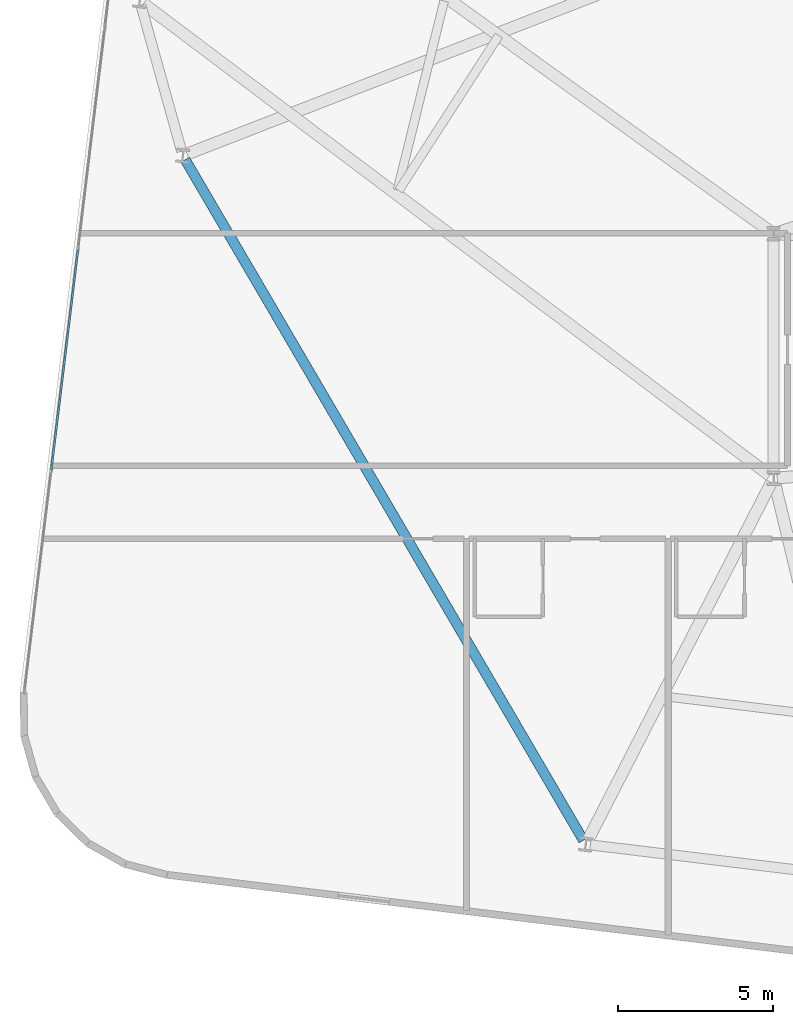
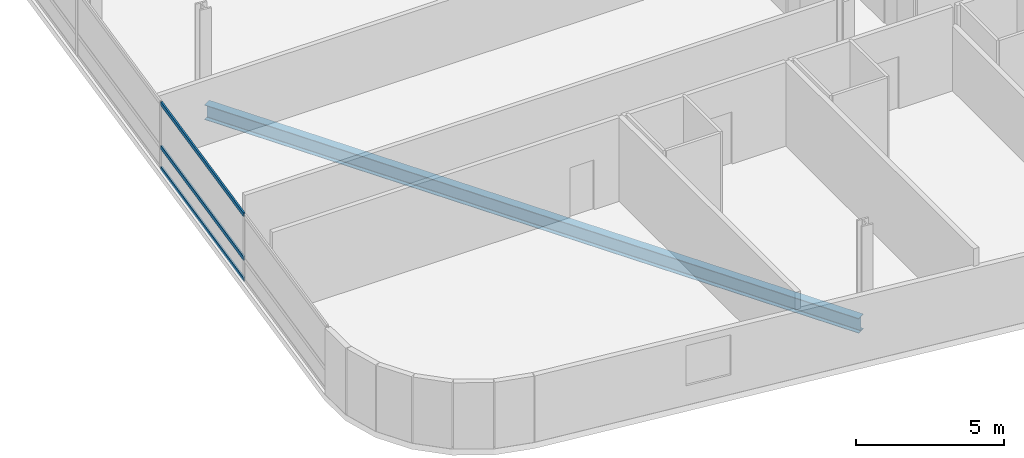
# One storey, part 5 of 26: 3 members, 1 beam, 1 element without a shape of its own.
"""IFC4 building model written with IfcOpenShell, lengths in metres."""

from ifc_helpers import new_model, si_unit, direction, frame, origin, origin_2d, place, context, subcontext, project, spatial, hollow_rectangle, i_section, extrude, material, layer, layer_set, material_profile, profile_set, type_object, element, aggregate, save


model = new_model("IFC4")

# Units and contexts
model_context = context("Model", 3, precision=1e-05, world=origin(), true_north=direction((0.0, 1.0)))
body_context = subcontext(model_context, "Body", "Model", "MODEL_VIEW")
ifc_project = project(units=[si_unit("LENGTHUNIT", "METRE"), si_unit("AREAUNIT", "SQUARE_METRE"), si_unit("VOLUMEUNIT", "CUBIC_METRE"), si_unit("PLANEANGLEUNIT", "RADIAN"), si_unit("MASSUNIT", "GRAM", prefix="KILO")], contexts=[model_context])

# Site, building, storey
site_placement = place(None, origin())
site = spatial("IfcSite", under=ifc_project, at=site_placement, CompositionType="ELEMENT")
building_placement = place(site_placement, origin())
building = spatial("IfcBuilding", under=site, at=building_placement, Name="Varnelok Gate Tower", CompositionType="ELEMENT")
storey_placement = place(building_placement, frame((0.0, 0.0, 125.39990234375)))
storey = spatial("IfcBuildingStorey", under=building, at=storey_placement, Name="L31", CompositionType="ELEMENT", Elevation=125.39990234375)

# Beam
ifc_material_1 = material(Name="Structural Steel ASTM A992 Grade 50", Category="steel")
ifc_material_profile_1 = material_profile(ifc_material_1, i_section(OverallWidth=0.323974609375, OverallDepth=0.611083984375, WebThickness=0.0126953125, FlangeThickness=0.01904296875, FilletRadius=0.01806640625, at=origin_2d()), Name="W24X104")
ifc_profile_set_1 = profile_set([ifc_material_profile_1], Name="Structural Steel ASTM A992 Grade 50")
beam_type = type_object("IfcBeamType", Name="BM-SPN-W24X104", PredefinedType="SPANDREL", material=ifc_profile_set_1)
beam_placement = place(storey_placement, frame((5.43115234375, 29.072021484375, -0.555419921875), z_axis=(0.504960797965, -0.863142278259, 0.0), x_axis=(0.863142278259, 0.504960797965, 0.0)))
element("IfcBeam", 1, at=beam_placement, inside=storey, type_object=beam_type, Name="L31 Perimeter Spandrel Beam 16", PredefinedType="SPANDREL", context=body_context, shape_type="SweptSolid", body=[
    extrude(i_section(OverallWidth=0.323974609375, OverallDepth=0.611083984375, WebThickness=0.0126953125, FlangeThickness=0.01904296875, FilletRadius=0.01806640625, at=origin_2d()), origin(), (0.0, 0.0, 1.0), 25.425537109375),
])

# Curtain wall, members
ifc_material_2 = material(Name="Anodized Aluminum Alloy 6063-T6", Category="aluminium")
ifc_layer = layer(ifc_material_2, 0.179931640625)
ifc_layer_set = layer_set([ifc_layer], Name="Anodized Aluminum Alloy 6063-T6")
curtain_wall_type = type_object("IfcCurtainWallType", Name="CW3-HOTEL-VISION", PredefinedType="USERDEFINED", material=ifc_layer_set)
curtain_wall_placement = place(storey_placement, origin())
curtain_wall = element("IfcCurtainWall", 2, at=curtain_wall_placement, inside=storey, type_object=curtain_wall_type, Name="L31 West End Vision Curtain Wall", ObjectType="UNITISED CURTAIN WALL", PredefinedType="USERDEFINED")
ifc_material_profile_2 = material_profile(ifc_material_2, hollow_rectangle(XDim=0.06494140625, YDim=0.159912109375, WallThickness=0.00390625, at=origin_2d()), Name="ALU160X65X4")
ifc_profile_set_2 = profile_set([ifc_material_profile_2], Name="Anodized Aluminum Alloy 6063-T6")
member_type = type_object("IfcMemberType", Name="CW-TRAN-160", PredefinedType="USERDEFINED", material=ifc_profile_set_2)
member_1_placement = place(storey_placement, frame((1.113525390625, 19.07080078125, 0.03271484375), z_axis=(0.120344652138, 0.992732171687, 0.0), x_axis=(-0.992732171687, 0.120344652138, 0.0)))
member_1 = element("IfcMember", 3, at=member_1_placement, type_object=member_type, Name="CW3 transom 2.1", ObjectType="TRANSOM", PredefinedType="USERDEFINED", context=body_context, shape_type="SweptSolid", body=[
    extrude(hollow_rectangle(XDim=0.06494140625, YDim=0.159912109375, WallThickness=0.00390625, at=origin_2d()), origin(), (0.0, 0.0, 1.0), 7.134765625),
])
member_2_placement = place(storey_placement, frame((1.113525390625, 19.07080078125, 0.900146484375), z_axis=(0.120344652138, 0.992732171687, 0.0), x_axis=(-0.992732171687, 0.120344652138, 0.0)))
member_2 = element("IfcMember", 4, at=member_2_placement, type_object=member_type, Name="CW3 transom 2.2", ObjectType="TRANSOM", PredefinedType="USERDEFINED", context=body_context, shape_type="SweptSolid", body=[
    extrude(hollow_rectangle(XDim=0.06494140625, YDim=0.159912109375, WallThickness=0.00390625, at=origin_2d()), origin(), (0.0, 0.0, 1.0), 7.134765625),
])
member_3_placement = place(storey_placement, frame((1.113525390625, 19.07080078125, 2.697509765625), z_axis=(0.120344652138, 0.992732171687, 0.0), x_axis=(-0.992732171687, 0.120344652138, 0.0)))
member_3 = element("IfcMember", 5, at=member_3_placement, type_object=member_type, Name="CW3 transom 2.3", ObjectType="TRANSOM", PredefinedType="USERDEFINED", context=body_context, shape_type="SweptSolid", body=[
    extrude(hollow_rectangle(XDim=0.06494140625, YDim=0.159912109375, WallThickness=0.00390625, at=origin_2d()), origin(), (0.0, 0.0, 1.0), 7.134765625),
])
aggregate(curtain_wall, [member_1, member_2, member_3])

save(model, "model.ifc")
